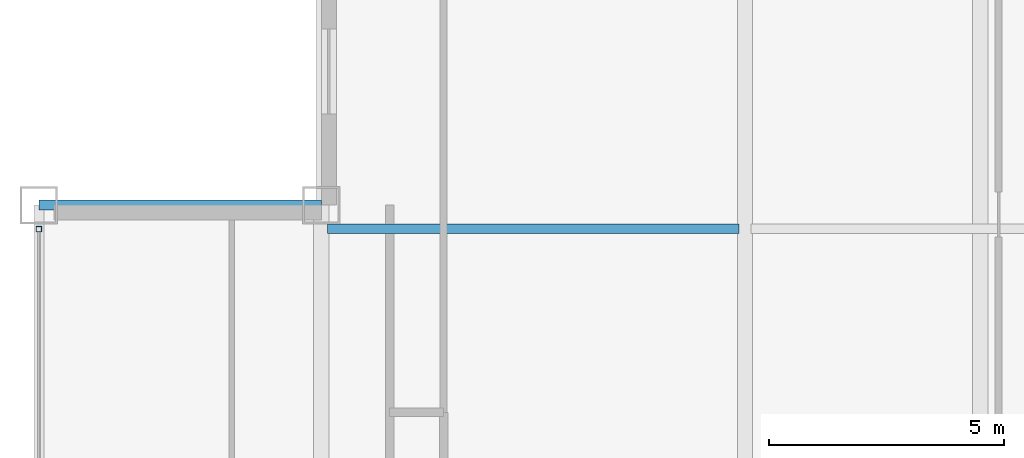
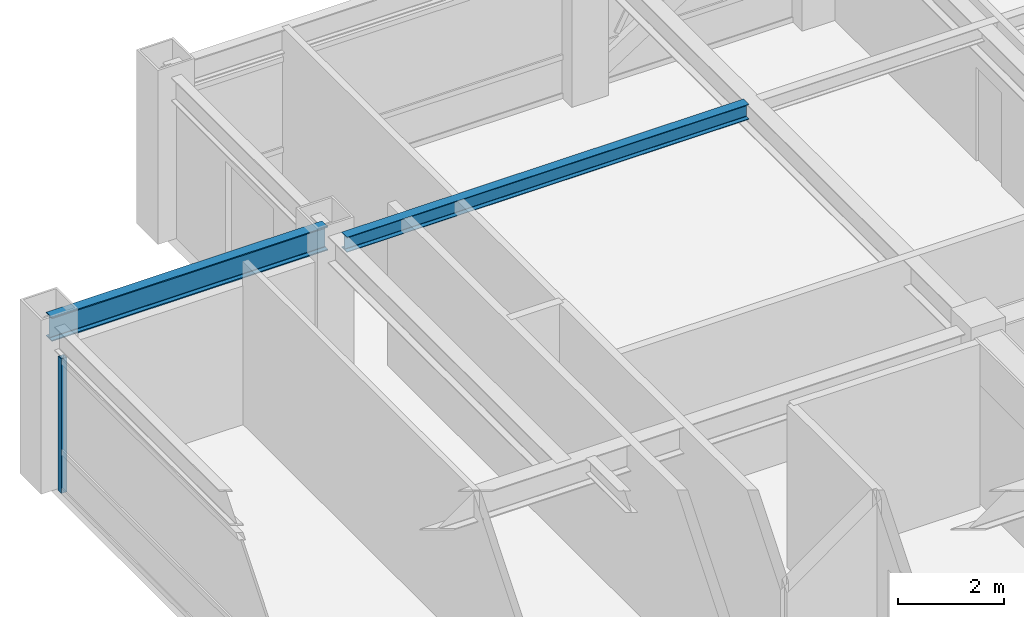
# One storey, part 14 of 28: 2 beams, 1 member, 1 element without a shape of its own.
"""IFC4 building model written with IfcOpenShell, lengths in metres."""

from ifc_helpers import new_model, si_unit, direction, frame, origin, origin_2d, place, context, subcontext, project, spatial, hollow_rectangle, i_section, extrude, source, transform, mapped, material, material_profile, profile_set, type_object, element, aggregate, save


model = new_model("IFC4")

# Units and contexts
model_context = context("Model", 3, precision=1e-05, world=origin(), true_north=direction((0.0, 1.0)))
body_context = subcontext(model_context, "Body", "Model", "MODEL_VIEW")
ifc_project = project(units=[si_unit("LENGTHUNIT", "METRE"), si_unit("AREAUNIT", "SQUARE_METRE"), si_unit("VOLUMEUNIT", "CUBIC_METRE"), si_unit("PLANEANGLEUNIT", "RADIAN"), si_unit("MASSUNIT", "GRAM", prefix="KILO")], contexts=[model_context])

# Site, building, storey
site_placement = place(None, origin())
site = spatial("IfcSite", under=ifc_project, at=site_placement, CompositionType="ELEMENT")
building_placement = place(site_placement, origin())
building = spatial("IfcBuilding", under=site, at=building_placement, Name="Khorayat Bourse Tower", CompositionType="ELEMENT")
storey_placement = place(building_placement, frame((0.0, 0.0, 338.300048828125)))
storey = spatial("IfcBuildingStorey", under=building, at=storey_placement, Name="L80", CompositionType="ELEMENT", Elevation=338.300048828125)

# Beams
ifc_material_1 = material(Name="Steel ASTM A992 Grade 50", Category="steel")
ifc_material_profile_1 = material_profile(ifc_material_1, i_section(OverallWidth=0.214111328125, OverallDepth=0.549072265625, WebThickness=0.0146484375, FlangeThickness=0.023681640625, FilletRadius=0.013916015625, at=origin_2d()), Name="W530X138")
ifc_profile_set_1 = profile_set([ifc_material_profile_1], Name="Steel ASTM A992 Grade 50")
beam_type_1 = type_object("IfcBeamType", Name="BM-SPAN-530", PredefinedType="SPANDREL", material=ifc_profile_set_1)
shared_shape_1 = source(origin(), body_context, "Body", "SweptSolid", [
    extrude(i_section(OverallWidth=0.214111328125, OverallDepth=0.549072265625, WebThickness=0.0146484375, FlangeThickness=0.023681640625, FilletRadius=0.013916015625, at=origin_2d()), origin(), (0.0, 0.0, 1.0), 6.0),
])
beam_1_placement = place(storey_placement, frame((-26.0, 20.0, 3.46533203125), z_axis=(1.0, 0.0, 0.0), x_axis=(0.0, 1.0, 0.0)))
element("IfcBeam", 1, at=beam_1_placement, inside=storey, type_object=beam_type_1, Name="L80 BM-SPAN-530 BM-L80-SPN-047", PredefinedType="SPANDREL", context=body_context, shape_type="MappedRepresentation", body=[
    mapped(shared_shape_1, transform((0.0, 0.0, 0.0), scale=1.0)),
])
ifc_material_profile_2 = material_profile(ifc_material_1, i_section(OverallWidth=0.202880859375, OverallDepth=0.346923828125, WebThickness=0.0078125, FlangeThickness=0.013427734375, FilletRadius=0.010009765625, at=origin_2d()), Name="W360X64")
ifc_profile_set_2 = profile_set([ifc_material_profile_2], Name="Steel ASTM A992 Grade 50")
beam_type_2 = type_object("IfcBeamType", Name="BM-JOIST-360", PredefinedType="JOIST", material=ifc_profile_set_2)
shared_shape_2 = source(origin(), body_context, "Body", "SweptSolid", [
    extrude(i_section(OverallWidth=0.202880859375, OverallDepth=0.346923828125, WebThickness=0.0078125, FlangeThickness=0.013427734375, FilletRadius=0.010009765625, at=origin_2d()), origin(), (0.0, 0.0, 1.0), 8.740234375),
])
beam_2_placement = place(storey_placement, frame((-19.8701171875, 19.5, 3.56640625), z_axis=(1.0, 0.0, 0.0), x_axis=(0.0, 1.0, 0.0)))
element("IfcBeam", 2, at=beam_2_placement, inside=storey, type_object=beam_type_2, Name="L80 BM-JOIST-360 BM-L80-JSTX-083", PredefinedType="JOIST", context=body_context, shape_type="MappedRepresentation", body=[
    mapped(shared_shape_2, transform((0.0, 0.0, 0.0), scale=1.0)),
])

# Curtain wall, member
ifc_material_2 = material(Name="Aluminium EN AW-6063 T6", Category="aluminium")
curtain_wall_type = type_object("IfcCurtainWallType", Name="CW-SYS-04", PredefinedType="NOTDEFINED", material=ifc_material_2)
curtain_wall_placement = place(storey_placement, origin())
curtain_wall = element("IfcCurtainWall", 3, at=curtain_wall_placement, inside=storey, type_object=curtain_wall_type, Name="L80 Curtain Wall CW-L80-W1", PredefinedType="NOTDEFINED")
ifc_material_profile_3 = material_profile(ifc_material_2, hollow_rectangle(XDim=0.1201171875, YDim=0.1201171875, WallThickness=0.0048828125, at=origin_2d()), Name="ALU 120x120x5")
ifc_profile_set_3 = profile_set([ifc_material_profile_3], Name="Aluminium EN AW-6063 T6")
member_type = type_object("IfcMemberType", Name="CWM-VERT-120", PredefinedType="MULLION", material=ifc_profile_set_3)
shared_shape_3 = source(origin(), body_context, "Body", "SweptSolid", [
    extrude(hollow_rectangle(XDim=0.1201171875, YDim=0.1201171875, WallThickness=0.0048828125, at=origin_2d()), origin(), (0.0, 0.0, 1.0), 3.08984375),
])
member_placement = place(storey_placement, frame((-26.0, 19.489990234375, 0.0), z_axis=(0.0, 0.0, 1.0), x_axis=(-1.0, 0.0, 0.0)))
member = element("IfcMember", 4, at=member_placement, type_object=member_type, Name="CW-L80-W1 Vertical Mullion 3", PredefinedType="MULLION", context=body_context, shape_type="MappedRepresentation", body=[
    mapped(shared_shape_3, transform((0.0, 0.0, 0.0), scale=1.0)),
])
aggregate(curtain_wall, [member])

save(model, "model.ifc")
